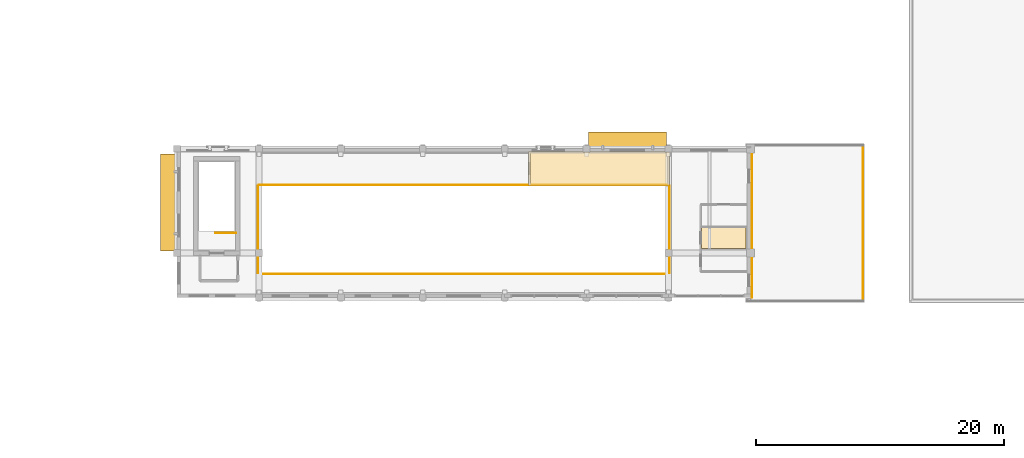
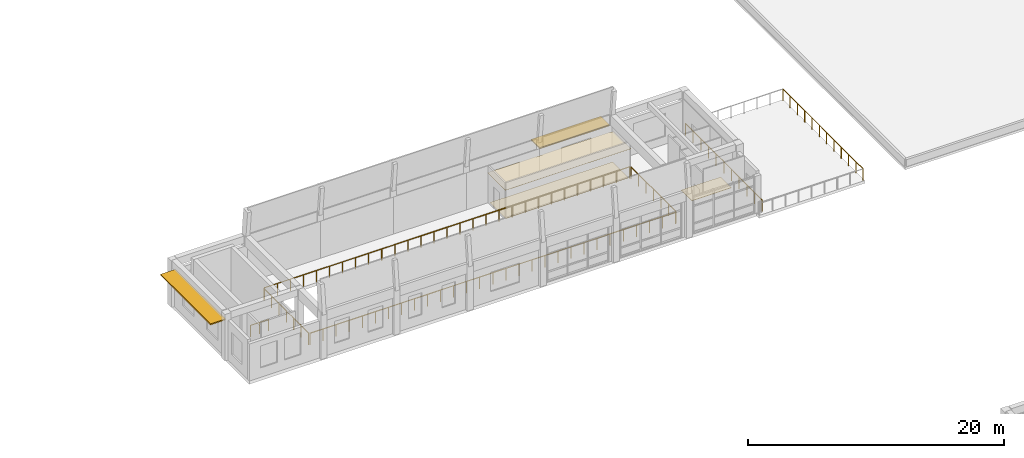
# One storey, part 46 of 50: 7 railings, 3 coverings, 2 shading devices.
"""IFC4 building model written with IfcOpenShell, lengths in metres."""

import ifcopenshell
import ifcopenshell.guid

model = None  # the IFC model being written
_history = None  # IfcOwnerHistory: only IFC2X3 demands one
_inside = {}  # id of a spatial element -> (the spatial element, [elements in it])
_under = {}  # id of a project, library or spatial element -> (it, [spatial elements below it])
_declared = {}  # id of a project -> (the project, [libraries it declares])
_typed = {}  # id of a type object -> (the type object, [elements of that type])
_made_of = {}  # id of a material, layer set ... -> (it, [elements and type objects made of it])


def new_model(schema):
    """Start an empty IFC model of exactly this schema.

    Asked for "IFC4X3", IfcOpenShell would pick the latest addendum, in which some entities
    have other attributes; the version numbers below select the first issue.
    IFC2X3 requires an IfcOwnerHistory on every rooted entity: one is made here for all.
    """
    global model, _history
    if schema == "IFC4X3":
        model = ifcopenshell.file(schema_version=(4, 3, 0, 0))
    else:
        model = ifcopenshell.file(schema=schema)
    _inside.clear()
    _under.clear()
    _declared.clear()
    _typed.clear()
    _made_of.clear()
    _history = None
    if model.schema == "IFC2X3":
        org = make("IfcOrganization", Name="unknown")
        user = make(
            "IfcPersonAndOrganization",
            ThePerson=make("IfcPerson", FamilyName="unknown"),
            TheOrganization=org,
        )
        app = make(
            "IfcApplication",
            ApplicationDeveloper=org,
            Version="unknown",
            ApplicationFullName="unknown",
            ApplicationIdentifier="unknown",
        )
        _history = make(
            "IfcOwnerHistory",
            OwningUser=user,
            OwningApplication=app,
            ChangeAction="ADDED",
            CreationDate=0,
        )
    return model


def make(cls, **values):
    """One entity of the class cls with the attributes given. An attribute that is None is left unset."""
    return model.create_entity(
        cls, **{name: value for name, value in values.items() if value is not None}
    )


def rooted(cls, **values):
    """An entity with a GlobalId (a new one), such as an element, a storey or a relation."""
    return make(cls, GlobalId=ifcopenshell.guid.new(), OwnerHistory=_history, **values)


def si_unit(unit_type, name, prefix=None):
    """IfcSIUnit, for example si_unit("LENGTHUNIT", "METRE", prefix="MILLI")."""
    return make("IfcSIUnit", UnitType=unit_type, Prefix=prefix, Name=name)


def assignment(units):
    """IfcUnitAssignment: the units of a project."""
    return None if units is None else make("IfcUnitAssignment", Units=units)


def point(xyz):
    """IfcCartesianPoint."""
    return None if xyz is None else make("IfcCartesianPoint", Coordinates=xyz)


def direction(xyz):
    """IfcDirection."""
    return None if xyz is None else make("IfcDirection", DirectionRatios=xyz)


def frame(location, z_axis=None, x_axis=None):
    """IfcAxis2Placement3D, a coordinate frame: its origin and axes. An axis left out is left unset."""
    return make(
        "IfcAxis2Placement3D",
        Location=point(location),
        Axis=direction(z_axis),
        RefDirection=direction(x_axis),
    )


def frame_2d(location, x_axis=None):
    """IfcAxis2Placement2D, a coordinate frame in the plane: its origin and x axis."""
    return make(
        "IfcAxis2Placement2D", Location=point(location), RefDirection=direction(x_axis)
    )


def origin():
    """The frame at (0, 0, 0) with its axes left unset."""
    return frame((0.0, 0.0, 0.0))


def origin_2d():
    """The frame at (0, 0) in the plane with its x axis left unset."""
    return frame_2d((0.0, 0.0))


def place(relative_to, where):
    """IfcLocalPlacement: puts the frame where relative to a parent placement (None: the world)."""
    return make(
        "IfcLocalPlacement", PlacementRelTo=relative_to, RelativePlacement=where
    )


def context(
    kind, dimensions, precision=None, world=None, true_north=None, identifier=None
):
    """IfcGeometricRepresentationContext, for example the 3D "Model" context."""
    return make(
        "IfcGeometricRepresentationContext",
        ContextIdentifier=identifier,
        ContextType=kind,
        CoordinateSpaceDimension=dimensions,
        Precision=precision,
        WorldCoordinateSystem=world,
        TrueNorth=true_north,
    )


def subcontext(parent, identifier, kind, view, scale=None):
    """IfcGeometricRepresentationSubContext, for example "Body" below "Model"."""
    return make(
        "IfcGeometricRepresentationSubContext",
        ContextIdentifier=identifier,
        ContextType=kind,
        ParentContext=parent,
        TargetScale=scale,
        TargetView=view,
    )


def project(units=None, contexts=None):
    """IfcProject with its units and contexts."""
    return rooted(
        "IfcProject",
        Name="project",
        RepresentationContexts=contexts,
        UnitsInContext=assignment(units),
    )


def spatial(cls, under=None, at=None, **own):
    """A site, building, storey or space (cls), placed at a placement, below another one or the project."""
    s = rooted(cls, ObjectPlacement=at, **own)
    if under is not None:
        _under.setdefault(under.id(), (under, []))[1].append(s)
    return s


def polyline(points):
    """IfcPolyline through the points."""
    return make("IfcPolyline", Points=[point(p) for p in points])


def profile(cls, at=None, kind="AREA", **sizes):
    """A parametric profile (cls). Its sizes go by their IFC names, for example OverallWidth=200.0."""
    return make(cls, ProfileType=kind, Position=at, **sizes)


def rectangle(**sizes):
    """IfcRectangleProfileDef."""
    return profile("IfcRectangleProfileDef", **sizes)


def circle(**sizes):
    """IfcCircleProfileDef."""
    return profile("IfcCircleProfileDef", **sizes)


def outline(outer, holes=None, kind="AREA"):
    """IfcArbitraryClosedProfileDef: a profile drawn as a closed curve; with holes, ...WithVoids."""
    if holes is None:
        return make("IfcArbitraryClosedProfileDef", ProfileType=kind, OuterCurve=outer)
    return make(
        "IfcArbitraryProfileDefWithVoids",
        ProfileType=kind,
        OuterCurve=outer,
        InnerCurves=holes,
    )


def extrude(swept, where, along, depth):
    """IfcExtrudedAreaSolid: the profile swept, set in the frame where, extruded along a direction by depth."""
    return make(
        "IfcExtrudedAreaSolid",
        SweptArea=swept,
        Position=where,
        ExtrudedDirection=direction(along),
        Depth=depth,
    )


def shape(context_of_items, identifier, shape_type, items):
    """IfcShapeRepresentation: the items that make up one representation, for example the "Body"."""
    return make(
        "IfcShapeRepresentation",
        ContextOfItems=context_of_items,
        RepresentationIdentifier=identifier,
        RepresentationType=shape_type,
        Items=items,
    )


def material(Name=None, Category=None):
    """IfcMaterial."""
    return make("IfcMaterial", Name=Name, Category=Category)


def layer(
    of_material, thickness, ventilated=None, Name=None, Category=None, Priority=None
):
    """IfcMaterialLayer: one layer of a wall or slab, of a material (None: an air gap)."""
    return make(
        "IfcMaterialLayer",
        Material=of_material,
        LayerThickness=thickness,
        IsVentilated=ventilated,
        Name=Name,
        Category=Category,
        Priority=Priority,
    )


def layer_set(layers, Name=None):
    """IfcMaterialLayerSet."""
    return make("IfcMaterialLayerSet", MaterialLayers=layers, LayerSetName=Name)


def made_of(thing, what):
    """Note that an element or type object is made of a material, layer set ...; save() writes the relation."""
    if what is not None:
        _made_of.setdefault(what.id(), (what, []))[1].append(thing)
    return thing


def type_object(cls, material=None, **own):
    """A type object (cls), such as IfcWallType, which elements share."""
    return made_of(rooted(cls, **own), material)


def element(
    cls,
    number,
    at=None,
    inside=None,
    cuts=None,
    type_object=None,
    material=None,
    context=None,
    identifier="Body",
    shape_type=None,
    held_by="IfcProductDefinitionShape",
    body=None,
    shapes=None,
    **own,
):
    """One element of the class cls, such as IfcWall. Its Tag is "e" and its number.

    at: its placement. inside: the storey or other place that contains it. cuts: it is an
    opening in that element (IfcRelVoidsElement). A single representation is given by context,
    identifier, shape_type and body (its items); several are given by shapes. held_by: the class
    of the entity that holds the representations. save() writes the other relations.
    """
    e = rooted(cls, Tag="e%d" % number, ObjectPlacement=at, **own)
    if body is not None:
        shapes = [shape(context, identifier, shape_type, body)]
    if shapes is not None:
        e.Representation = make(held_by, Representations=shapes)
    if inside is not None:
        _inside.setdefault(inside.id(), (inside, []))[1].append(e)
    if cuts is not None:
        rooted(
            "IfcRelVoidsElement", RelatingBuildingElement=cuts, RelatedOpeningElement=e
        )
    if type_object is not None:
        _typed.setdefault(type_object.id(), (type_object, []))[1].append(e)
    return made_of(e, material)


def aggregate(whole, parts):
    """IfcRelAggregates: a whole, such as a stair, and the parts it consists of."""
    return rooted("IfcRelAggregates", RelatingObject=whole, RelatedObjects=parts)


def save(model, path):
    """Write the relations noted so far, then the file.

    IfcRelAggregates (storeys below a building ...), IfcRelContainedInSpatialStructure (elements
    in a storey), IfcRelDefinesByType, IfcRelAssociatesMaterial and IfcRelDeclares: one each for
    every whole, place, type object, material and project.
    """
    for whole, parts in _under.values():
        aggregate(whole, parts)
    for where, things in _inside.values():
        rooted(
            "IfcRelContainedInSpatialStructure",
            RelatedElements=things,
            RelatingStructure=where,
        )
    for kind, things in _typed.values():
        rooted("IfcRelDefinesByType", RelatedObjects=things, RelatingType=kind)
    for what, things in _made_of.values():
        rooted("IfcRelAssociatesMaterial", RelatedObjects=things, RelatingMaterial=what)
    for by, libraries in _declared.values():
        rooted("IfcRelDeclares", RelatingContext=by, RelatedDefinitions=libraries)
    model.write(path)


model = new_model("IFC4")

# Units and contexts
model_context = context("Model", 3, precision=1e-05, world=origin(), true_north=direction((0.0, 1.0)))
body_context = subcontext(model_context, "Body", "Model", "MODEL_VIEW")
ifc_project = project(units=[si_unit("LENGTHUNIT", "METRE"), si_unit("AREAUNIT", "SQUARE_METRE"), si_unit("VOLUMEUNIT", "CUBIC_METRE"), si_unit("PLANEANGLEUNIT", "RADIAN"), si_unit("MASSUNIT", "GRAM", prefix="KILO")], contexts=[model_context])

# Site, building, storey
site_placement = place(None, origin())
site = spatial("IfcSite", under=ifc_project, at=site_placement, CompositionType="ELEMENT")
building_placement = place(site_placement, origin())
building = spatial("IfcBuilding", under=site, at=building_placement, Name="Kolvaren Faculty of Natural Sciences", CompositionType="ELEMENT")
storey_placement = place(building_placement, frame((0.0, 0.0, 15.0)))
storey = spatial("IfcBuildingStorey", under=building, at=storey_placement, Name="L03", CompositionType="ELEMENT", Elevation=15.0)

# Covering
ifc_material_1 = material(Name="Perforated mineral-fibre acoustic suspended ceiling tile")
ifc_layer_1 = layer(ifc_material_1, 0.02490234375)
ifc_layer_set_1 = layer_set([ifc_layer_1], Name="Perforated mineral-fibre acoustic suspended ceiling tile")
covering_type_1 = type_object("IfcCoveringType", Name="AcousticSuspendedCeiling_25", PredefinedType="CEILING", material=ifc_layer_set_1)
covering_1_placement = place(storey_placement, frame((0.0, 0.0, 2.824951171875)))
element("IfcCovering", 1, at=covering_1_placement, inside=storey, type_object=covering_type_1, Name="L03 L03 Interdisciplinary Research Studio acoustic ceiling", PredefinedType="CEILING", context=body_context, shape_type="SweptSolid", body=[
    extrude(outline(polyline([(87.919921875, 81.199951171875), (87.919921875, 83.97998046875), (92.324951171875, 83.97998046875), (92.324951171875, 83.925048828125), (92.875, 83.925048828125), (92.875, 83.97998046875), (98.925048828125, 83.97998046875), (98.925048828125, 83.925048828125), (99.280029296875, 83.925048828125), (99.280029296875, 81.199951171875), (87.919921875, 81.199951171875)])), origin(), (0.0, 0.0, 1.0), 0.025146484375),
])

# Shading devices
ifc_material_2 = material(Name="Precast concrete C35/45", Category="concrete")
ifc_layer_2 = layer(ifc_material_2, 0.1201171875)
ifc_layer_set_2 = layer_set([ifc_layer_2], Name="Precast concrete C35/45")
shading_device_type = type_object("IfcShadingDeviceType", Name="ChhajjaSolarHood_1350", PredefinedType="AWNING", material=ifc_layer_set_2)
shading_device_1_placement = place(storey_placement, frame((58.945068359375, 79.860107421875, 3.544921875), z_axis=(0.0, 0.0, 1.0), x_axis=(0.0, 1.0, 0.0)))
element("IfcShadingDevice", 2, at=shading_device_1_placement, inside=storey, type_object=shading_device_type, Name="L03 precast sandstone chhajja solar hood 119", PredefinedType="AWNING", context=body_context, shape_type="SweptSolid", body=[
    extrude(rectangle(XDim=7.820068359375, YDim=1.35009765625, at=origin_2d()), origin(), (0.0, 0.0, 1.0), 0.1201171875),
])
shading_device_2_placement = place(storey_placement, frame((95.89990234375, 84.85498046875, 3.294921875), z_axis=(0.0, 0.0, 1.0), x_axis=(1.0, 0.0, 0.0)))
element("IfcShadingDevice", 3, at=shading_device_2_placement, inside=storey, type_object=shading_device_type, Name="L03 precast sandstone chhajja solar hood 120", PredefinedType="AWNING", context=body_context, shape_type="SweptSolid", body=[
    extrude(rectangle(XDim=6.300048828125, YDim=1.35009765625, at=origin_2d()), origin(), (0.0, 0.0, 1.0), 0.1201171875),
])

# Railings
ifc_material_3 = material(Name="Structural steel EN 10210-1 S355J2H", Category="steel")
ifc_layer_3 = layer(ifc_material_3, 0.048095703125)
ifc_layer_set_3 = layer_set([ifc_layer_3], Name="Structural steel EN 10210-1 S355J2H")
railing_type_1 = type_object("IfcRailingType", Name="GuardRailing_GDVOID1", PredefinedType="BALUSTRADE", material=ifc_layer_set_3)
railing_1_placement = place(storey_placement, frame((99.199951171875, 74.1201171875, 0.0)))
element("IfcRailing", 4, at=railing_1_placement, inside=storey, type_object=railing_type_1, Name="L03 atrium void balustrade 34", PredefinedType="BALUSTRADE", context=body_context, shape_type="SweptSolid", body=[
    extrude(circle(Radius=0.02392578125, at=origin_2d()), frame((0.0, 0.0, 1.09619140625), z_axis=(-1.0, 0.0, 0.0), x_axis=(0.0, -1.0, 0.0)), (0.0, 0.0, 1.0), 33.0),
    extrude(circle(Radius=0.02099609375, at=origin_2d()), origin(), (0.0, 0.0, 1.0), 1.072021484375),
    extrude(circle(Radius=0.02099609375, at=origin_2d()), frame((-1.178466796875, 0.0, 0.0)), (0.0, 0.0, 1.0), 1.072021484375),
    extrude(circle(Radius=0.02099609375, at=origin_2d()), frame((-2.357177734375, 0.0, 0.0)), (0.0, 0.0, 1.0), 1.072021484375),
    extrude(circle(Radius=0.02099609375, at=origin_2d()), frame((-3.53564453125, 0.0, 0.0)), (0.0, 0.0, 1.0), 1.072021484375),
    extrude(circle(Radius=0.02099609375, at=origin_2d()), frame((-4.71435546875, 0.0, 0.0)), (0.0, 0.0, 1.0), 1.072021484375),
    extrude(circle(Radius=0.02099609375, at=origin_2d()), frame((-5.892822265625, 0.0, 0.0)), (0.0, 0.0, 1.0), 1.072021484375),
    extrude(circle(Radius=0.02099609375, at=origin_2d()), frame((-7.071533203125, 0.0, 0.0)), (0.0, 0.0, 1.0), 1.072021484375),
    extrude(circle(Radius=0.02099609375, at=origin_2d()), frame((-8.25, 0.0, 0.0)), (0.0, 0.0, 1.0), 1.072021484375),
    extrude(circle(Radius=0.02099609375, at=origin_2d()), frame((-9.428466796875, 0.0, 0.0)), (0.0, 0.0, 1.0), 1.072021484375),
    extrude(circle(Radius=0.02099609375, at=origin_2d()), frame((-10.607177734375, 0.0, 0.0)), (0.0, 0.0, 1.0), 1.072021484375),
    extrude(circle(Radius=0.02099609375, at=origin_2d()), frame((-11.78564453125, 0.0, 0.0)), (0.0, 0.0, 1.0), 1.072021484375),
    extrude(circle(Radius=0.02099609375, at=origin_2d()), frame((-12.96435546875, 0.0, 0.0)), (0.0, 0.0, 1.0), 1.072021484375),
    extrude(circle(Radius=0.02099609375, at=origin_2d()), frame((-14.142822265625, 0.0, 0.0)), (0.0, 0.0, 1.0), 1.072021484375),
    extrude(circle(Radius=0.02099609375, at=origin_2d()), frame((-15.321533203125, 0.0, 0.0)), (0.0, 0.0, 1.0), 1.072021484375),
    extrude(circle(Radius=0.02099609375, at=origin_2d()), frame((-16.5, 0.0, 0.0)), (0.0, 0.0, 1.0), 1.072021484375),
    extrude(circle(Radius=0.02099609375, at=origin_2d()), frame((-17.678466796875, 0.0, 0.0)), (0.0, 0.0, 1.0), 1.072021484375),
    extrude(circle(Radius=0.02099609375, at=origin_2d()), frame((-18.857177734375, 0.0, 0.0)), (0.0, 0.0, 1.0), 1.072021484375),
    extrude(circle(Radius=0.02099609375, at=origin_2d()), frame((-20.03564453125, 0.0, 0.0)), (0.0, 0.0, 1.0), 1.072021484375),
    extrude(circle(Radius=0.02099609375, at=origin_2d()), frame((-21.21435546875, 0.0, 0.0)), (0.0, 0.0, 1.0), 1.072021484375),
    extrude(circle(Radius=0.02099609375, at=origin_2d()), frame((-22.392822265625, 0.0, 0.0)), (0.0, 0.0, 1.0), 1.072021484375),
    extrude(circle(Radius=0.02099609375, at=origin_2d()), frame((-23.571533203125, 0.0, 0.0)), (0.0, 0.0, 1.0), 1.072021484375),
    extrude(circle(Radius=0.02099609375, at=origin_2d()), frame((-24.75, 0.0, 0.0)), (0.0, 0.0, 1.0), 1.072021484375),
    extrude(circle(Radius=0.02099609375, at=origin_2d()), frame((-25.928466796875, 0.0, 0.0)), (0.0, 0.0, 1.0), 1.072021484375),
    extrude(circle(Radius=0.02099609375, at=origin_2d()), frame((-27.107177734375, 0.0, 0.0)), (0.0, 0.0, 1.0), 1.072021484375),
    extrude(circle(Radius=0.02099609375, at=origin_2d()), frame((-28.28564453125, 0.0, 0.0)), (0.0, 0.0, 1.0), 1.072021484375),
    extrude(circle(Radius=0.02099609375, at=origin_2d()), frame((-29.46435546875, 0.0, 0.0)), (0.0, 0.0, 1.0), 1.072021484375),
    extrude(circle(Radius=0.02099609375, at=origin_2d()), frame((-30.642822265625, 0.0, 0.0)), (0.0, 0.0, 1.0), 1.072021484375),
    extrude(circle(Radius=0.02099609375, at=origin_2d()), frame((-31.821533203125, 0.0, 0.0)), (0.0, 0.0, 1.0), 1.072021484375),
    extrude(circle(Radius=0.02099609375, at=origin_2d()), frame((-33.0, 0.0, 0.0)), (0.0, 0.0, 1.0), 1.072021484375),
])
railing_2_placement = place(storey_placement, frame((66.1201171875, 74.199951171875, 0.0)))
element("IfcRailing", 5, at=railing_2_placement, inside=storey, type_object=railing_type_1, Name="L03 atrium void balustrade 35", PredefinedType="BALUSTRADE", context=body_context, shape_type="SweptSolid", body=[
    extrude(circle(Radius=0.02392578125, at=origin_2d()), frame((0.0, 0.0, 1.09619140625), z_axis=(0.0, 1.0, 0.0), x_axis=(-1.0, 0.0, 0.0)), (0.0, 0.0, 1.0), 7.0),
    extrude(circle(Radius=0.02099609375, at=origin_2d()), origin(), (0.0, 0.0, 1.0), 1.072021484375),
    extrude(circle(Radius=0.02099609375, at=origin_2d()), frame((0.0, 1.166748046875, 0.0)), (0.0, 0.0, 1.0), 1.072021484375),
    extrude(circle(Radius=0.02099609375, at=origin_2d()), frame((0.0, 2.333251953125, 0.0)), (0.0, 0.0, 1.0), 1.072021484375),
    extrude(circle(Radius=0.02099609375, at=origin_2d()), frame((0.0, 3.5, 0.0)), (0.0, 0.0, 1.0), 1.072021484375),
    extrude(circle(Radius=0.02099609375, at=origin_2d()), frame((0.0, 4.666748046875, 0.0)), (0.0, 0.0, 1.0), 1.072021484375),
    extrude(circle(Radius=0.02099609375, at=origin_2d()), frame((0.0, 5.833251953125, 0.0)), (0.0, 0.0, 1.0), 1.072021484375),
    extrude(circle(Radius=0.02099609375, at=origin_2d()), frame((0.0, 7.0, 0.0)), (0.0, 0.0, 1.0), 1.072021484375),
])
railing_3_placement = place(storey_placement, frame((66.199951171875, 81.280029296875, 0.0)))
element("IfcRailing", 6, at=railing_3_placement, inside=storey, type_object=railing_type_1, Name="L03 atrium void balustrade 36", PredefinedType="BALUSTRADE", context=body_context, shape_type="SweptSolid", body=[
    extrude(circle(Radius=0.02392578125, at=origin_2d()), frame((0.0, 0.0, 1.09619140625), z_axis=(1.0, 0.0, 0.0), x_axis=(0.0, 1.0, 0.0)), (0.0, 0.0, 1.0), 33.0),
    extrude(circle(Radius=0.02099609375, at=origin_2d()), origin(), (0.0, 0.0, 1.0), 1.072021484375),
    extrude(circle(Radius=0.02099609375, at=origin_2d()), frame((1.178466796875, 0.0, 0.0)), (0.0, 0.0, 1.0), 1.072021484375),
    extrude(circle(Radius=0.02099609375, at=origin_2d()), frame((2.357177734375, 0.0, 0.0)), (0.0, 0.0, 1.0), 1.072021484375),
    extrude(circle(Radius=0.02099609375, at=origin_2d()), frame((3.53564453125, 0.0, 0.0)), (0.0, 0.0, 1.0), 1.072021484375),
    extrude(circle(Radius=0.02099609375, at=origin_2d()), frame((4.71435546875, 0.0, 0.0)), (0.0, 0.0, 1.0), 1.072021484375),
    extrude(circle(Radius=0.02099609375, at=origin_2d()), frame((5.892822265625, 0.0, 0.0)), (0.0, 0.0, 1.0), 1.072021484375),
    extrude(circle(Radius=0.02099609375, at=origin_2d()), frame((7.071533203125, 0.0, 0.0)), (0.0, 0.0, 1.0), 1.072021484375),
    extrude(circle(Radius=0.02099609375, at=origin_2d()), frame((8.25, 0.0, 0.0)), (0.0, 0.0, 1.0), 1.072021484375),
    extrude(circle(Radius=0.02099609375, at=origin_2d()), frame((9.428466796875, 0.0, 0.0)), (0.0, 0.0, 1.0), 1.072021484375),
    extrude(circle(Radius=0.02099609375, at=origin_2d()), frame((10.607177734375, 0.0, 0.0)), (0.0, 0.0, 1.0), 1.072021484375),
    extrude(circle(Radius=0.02099609375, at=origin_2d()), frame((11.78564453125, 0.0, 0.0)), (0.0, 0.0, 1.0), 1.072021484375),
    extrude(circle(Radius=0.02099609375, at=origin_2d()), frame((12.96435546875, 0.0, 0.0)), (0.0, 0.0, 1.0), 1.072021484375),
    extrude(circle(Radius=0.02099609375, at=origin_2d()), frame((14.142822265625, 0.0, 0.0)), (0.0, 0.0, 1.0), 1.072021484375),
    extrude(circle(Radius=0.02099609375, at=origin_2d()), frame((15.321533203125, 0.0, 0.0)), (0.0, 0.0, 1.0), 1.072021484375),
    extrude(circle(Radius=0.02099609375, at=origin_2d()), frame((16.5, 0.0, 0.0)), (0.0, 0.0, 1.0), 1.072021484375),
    extrude(circle(Radius=0.02099609375, at=origin_2d()), frame((17.678466796875, 0.0, 0.0)), (0.0, 0.0, 1.0), 1.072021484375),
    extrude(circle(Radius=0.02099609375, at=origin_2d()), frame((18.857177734375, 0.0, 0.0)), (0.0, 0.0, 1.0), 1.072021484375),
    extrude(circle(Radius=0.02099609375, at=origin_2d()), frame((20.03564453125, 0.0, 0.0)), (0.0, 0.0, 1.0), 1.072021484375),
    extrude(circle(Radius=0.02099609375, at=origin_2d()), frame((21.21435546875, 0.0, 0.0)), (0.0, 0.0, 1.0), 1.072021484375),
    extrude(circle(Radius=0.02099609375, at=origin_2d()), frame((22.392822265625, 0.0, 0.0)), (0.0, 0.0, 1.0), 1.072021484375),
    extrude(circle(Radius=0.02099609375, at=origin_2d()), frame((23.571533203125, 0.0, 0.0)), (0.0, 0.0, 1.0), 1.072021484375),
    extrude(circle(Radius=0.02099609375, at=origin_2d()), frame((24.75, 0.0, 0.0)), (0.0, 0.0, 1.0), 1.072021484375),
    extrude(circle(Radius=0.02099609375, at=origin_2d()), frame((25.928466796875, 0.0, 0.0)), (0.0, 0.0, 1.0), 1.072021484375),
    extrude(circle(Radius=0.02099609375, at=origin_2d()), frame((27.107177734375, 0.0, 0.0)), (0.0, 0.0, 1.0), 1.072021484375),
    extrude(circle(Radius=0.02099609375, at=origin_2d()), frame((28.28564453125, 0.0, 0.0)), (0.0, 0.0, 1.0), 1.072021484375),
    extrude(circle(Radius=0.02099609375, at=origin_2d()), frame((29.46435546875, 0.0, 0.0)), (0.0, 0.0, 1.0), 1.072021484375),
    extrude(circle(Radius=0.02099609375, at=origin_2d()), frame((30.642822265625, 0.0, 0.0)), (0.0, 0.0, 1.0), 1.072021484375),
    extrude(circle(Radius=0.02099609375, at=origin_2d()), frame((31.821533203125, 0.0, 0.0)), (0.0, 0.0, 1.0), 1.072021484375),
    extrude(circle(Radius=0.02099609375, at=origin_2d()), frame((33.0, 0.0, 0.0)), (0.0, 0.0, 1.0), 1.072021484375),
])
railing_4_placement = place(storey_placement, frame((99.280029296875, 81.199951171875, 0.0)))
element("IfcRailing", 7, at=railing_4_placement, inside=storey, type_object=railing_type_1, Name="L03 atrium void balustrade 37", PredefinedType="BALUSTRADE", context=body_context, shape_type="SweptSolid", body=[
    extrude(circle(Radius=0.02392578125, at=origin_2d()), frame((0.0, 0.0, 1.09619140625), z_axis=(0.0, -1.0, 0.0), x_axis=(1.0, 0.0, 0.0)), (0.0, 0.0, 1.0), 7.0),
    extrude(circle(Radius=0.02099609375, at=origin_2d()), origin(), (0.0, 0.0, 1.0), 1.072021484375),
    extrude(circle(Radius=0.02099609375, at=origin_2d()), frame((0.0, -1.166748046875, 0.0)), (0.0, 0.0, 1.0), 1.072021484375),
    extrude(circle(Radius=0.02099609375, at=origin_2d()), frame((0.0, -2.333251953125, 0.0)), (0.0, 0.0, 1.0), 1.072021484375),
    extrude(circle(Radius=0.02099609375, at=origin_2d()), frame((0.0, -3.5, 0.0)), (0.0, 0.0, 1.0), 1.072021484375),
    extrude(circle(Radius=0.02099609375, at=origin_2d()), frame((0.0, -4.666748046875, 0.0)), (0.0, 0.0, 1.0), 1.072021484375),
    extrude(circle(Radius=0.02099609375, at=origin_2d()), frame((0.0, -5.833251953125, 0.0)), (0.0, 0.0, 1.0), 1.072021484375),
    extrude(circle(Radius=0.02099609375, at=origin_2d()), frame((0.0, -7.0, 0.0)), (0.0, 0.0, 1.0), 1.072021484375),
])
ifc_layer_4 = layer(ifc_material_3, 0.048095703125)
ifc_layer_set_4 = layer_set([ifc_layer_4], Name="Structural steel EN 10210-1 S355J2H")
railing_type_2 = type_object("IfcRailingType", Name="GuardRailing_GRD110", PredefinedType="BALUSTRADE", material=ifc_layer_set_4)
railing_5_placement = place(storey_placement, frame((105.919921875, 72.199951171875, 0.0)))
element("IfcRailing", 8, at=railing_5_placement, inside=storey, type_object=railing_type_2, Name="L03 Atrium East Roof Terrace perimeter balustrade 5", PredefinedType="BALUSTRADE", context=body_context, shape_type="SweptSolid", body=[
    extrude(circle(Radius=0.02392578125, at=origin_2d()), frame((0.0, 0.0, 1.09619140625), z_axis=(0.0, 1.0, 0.0), x_axis=(-1.0, 0.0, 0.0)), (0.0, 0.0, 1.0), 12.0),
    extrude(circle(Radius=0.02099609375, at=origin_2d()), origin(), (0.0, 0.0, 1.0), 1.072021484375),
    extrude(circle(Radius=0.02099609375, at=origin_2d()), frame((0.0, 1.199951171875, 0.0)), (0.0, 0.0, 1.0), 1.072021484375),
    extrude(circle(Radius=0.02099609375, at=origin_2d()), frame((0.0, 2.39990234375, 0.0)), (0.0, 0.0, 1.0), 1.072021484375),
    extrude(circle(Radius=0.02099609375, at=origin_2d()), frame((0.0, 3.60009765625, 0.0)), (0.0, 0.0, 1.0), 1.072021484375),
    extrude(circle(Radius=0.02099609375, at=origin_2d()), frame((0.0, 4.800048828125, 0.0)), (0.0, 0.0, 1.0), 1.072021484375),
    extrude(circle(Radius=0.02099609375, at=origin_2d()), frame((0.0, 6.0, 0.0)), (0.0, 0.0, 1.0), 1.072021484375),
    extrude(circle(Radius=0.02099609375, at=origin_2d()), frame((0.0, 7.199951171875, 0.0)), (0.0, 0.0, 1.0), 1.072021484375),
    extrude(circle(Radius=0.02099609375, at=origin_2d()), frame((0.0, 8.39990234375, 0.0)), (0.0, 0.0, 1.0), 1.072021484375),
    extrude(circle(Radius=0.02099609375, at=origin_2d()), frame((0.0, 9.60009765625, 0.0)), (0.0, 0.0, 1.0), 1.072021484375),
    extrude(circle(Radius=0.02099609375, at=origin_2d()), frame((0.0, 10.800048828125, 0.0)), (0.0, 0.0, 1.0), 1.072021484375),
    extrude(circle(Radius=0.02099609375, at=origin_2d()), frame((0.0, 12.0, 0.0)), (0.0, 0.0, 1.0), 1.072021484375),
])
railing_6_placement = place(storey_placement, frame((114.8798828125, 84.47998046875, 0.0)))
element("IfcRailing", 9, at=railing_6_placement, inside=storey, type_object=railing_type_2, Name="L03 Atrium East Roof Terrace perimeter balustrade 8", PredefinedType="BALUSTRADE", context=body_context, shape_type="SweptSolid", body=[
    extrude(circle(Radius=0.02392578125, at=origin_2d()), frame((0.0, 0.0, 1.09619140625), z_axis=(0.0, -1.0, 0.0), x_axis=(1.0, 0.0, 0.0)), (0.0, 0.0, 1.0), 12.56005859375),
    extrude(circle(Radius=0.02099609375, at=origin_2d()), origin(), (0.0, 0.0, 1.0), 1.072021484375),
    extrude(circle(Radius=0.02099609375, at=origin_2d()), frame((0.0, -1.141845703125, 0.0)), (0.0, 0.0, 1.0), 1.072021484375),
    extrude(circle(Radius=0.02099609375, at=origin_2d()), frame((0.0, -2.28369140625, 0.0)), (0.0, 0.0, 1.0), 1.072021484375),
    extrude(circle(Radius=0.02099609375, at=origin_2d()), frame((0.0, -3.425537109375, 0.0)), (0.0, 0.0, 1.0), 1.072021484375),
    extrude(circle(Radius=0.02099609375, at=origin_2d()), frame((0.0, -4.5673828125, 0.0)), (0.0, 0.0, 1.0), 1.072021484375),
    extrude(circle(Radius=0.02099609375, at=origin_2d()), frame((0.0, -5.709228515625, 0.0)), (0.0, 0.0, 1.0), 1.072021484375),
    extrude(circle(Radius=0.02099609375, at=origin_2d()), frame((0.0, -6.850830078125, 0.0)), (0.0, 0.0, 1.0), 1.072021484375),
    extrude(circle(Radius=0.02099609375, at=origin_2d()), frame((0.0, -7.99267578125, 0.0)), (0.0, 0.0, 1.0), 1.072021484375),
    extrude(circle(Radius=0.02099609375, at=origin_2d()), frame((0.0, -9.134521484375, 0.0)), (0.0, 0.0, 1.0), 1.072021484375),
    extrude(circle(Radius=0.02099609375, at=origin_2d()), frame((0.0, -10.2763671875, 0.0)), (0.0, 0.0, 1.0), 1.072021484375),
    extrude(circle(Radius=0.02099609375, at=origin_2d()), frame((0.0, -11.418212890625, 0.0)), (0.0, 0.0, 1.0), 1.072021484375),
    extrude(circle(Radius=0.02099609375, at=origin_2d()), frame((0.0, -12.56005859375, 0.0)), (0.0, 0.0, 1.0), 1.072021484375),
])

# Covering
ifc_material_4 = material(Name="Seamless chemical-resistant laboratory epoxy resin flooring")
ifc_layer_5 = layer(ifc_material_4, 0.02001953125)
ifc_layer_set_5 = layer_set([ifc_layer_5], Name="Seamless chemical-resistant laboratory epoxy resin flooring")
covering_type_2 = type_object("IfcCoveringType", Name="LabEpoxyFloorFinish_20", PredefinedType="FLOORING", material=ifc_layer_set_5)
covering_2_placement = place(storey_placement, origin())
element("IfcCovering", 10, at=covering_2_placement, inside=storey, type_object=covering_type_2, Name="L03 L03 Interdisciplinary Research Studio floor finish", PredefinedType="FLOORING", context=body_context, shape_type="SweptSolid", body=[
    extrude(outline(polyline([(99.139892578125, 83.860107421875), (99.139892578125, 81.340087890625), (88.06005859375, 81.340087890625), (88.06005859375, 83.860107421875), (99.139892578125, 83.860107421875)])), origin(), (0.0, 0.0, 1.0), 0.02001953125),
])

# Railing
ifc_layer_6 = layer(ifc_material_3, 0.048095703125)
ifc_layer_set_6 = layer_set([ifc_layer_6], Name="Structural steel EN 10210-1 S355J2H")
railing_type_3 = type_object("IfcRailingType", Name="StairWellGuard_1100", PredefinedType="BALUSTRADE", material=ifc_layer_set_6)
railing_7_placement = place(storey_placement, frame((64.35009765625, 77.39990234375, 0.0)))
element("IfcRailing", 11, at=railing_7_placement, inside=storey, type_object=railing_type_3, Name="L03 ST-6 top well guard 1", PredefinedType="BALUSTRADE", context=body_context, shape_type="SweptSolid", body=[
    extrude(circle(Radius=0.02392578125, at=origin_2d()), frame((0.0, 0.0, 1.076171875), z_axis=(-1.0, 0.0, 0.0), x_axis=(0.0, -1.0, 0.0)), (0.0, 0.0, 1.0), 1.650146484375),
    extrude(circle(Radius=0.02099609375, at=origin_2d()), origin(), (0.0, 0.0, 1.0), 1.052001953125),
    extrude(circle(Radius=0.02099609375, at=origin_2d()), frame((-0.8251953125, 0.0, 0.0)), (0.0, 0.0, 1.0), 1.052001953125),
    extrude(circle(Radius=0.02099609375, at=origin_2d()), frame((-1.650146484375, 0.0, 0.0)), (0.0, 0.0, 1.0), 1.052001953125),
])

# Covering
ifc_material_5 = material(Name="Polished Uruguayan grey granite terrazzo flooring", Category="masonry")
ifc_layer_7 = layer(ifc_material_5, 0.030029296875)
ifc_layer_set_7 = layer_set([ifc_layer_7], Name="Polished Uruguayan grey granite terrazzo flooring")
covering_type_3 = type_object("IfcCoveringType", Name="TerrazzoFloorFinish_30", PredefinedType="FLOORING", material=ifc_layer_set_7)
covering_3_placement = place(storey_placement, origin())
element("IfcCovering", 12, at=covering_3_placement, inside=storey, type_object=covering_type_3, Name="L03 L03 Female WC floor finish", PredefinedType="FLOORING", context=body_context, shape_type="SweptSolid", body=[
    extrude(outline(polyline([(105.43994140625, 77.840087890625), (105.43994140625, 76.159912109375), (101.860107421875, 76.159912109375), (101.860107421875, 77.840087890625), (105.43994140625, 77.840087890625)])), origin(), (0.0, 0.0, 1.0), 0.030029296875),
])

save(model, "model.ifc")
